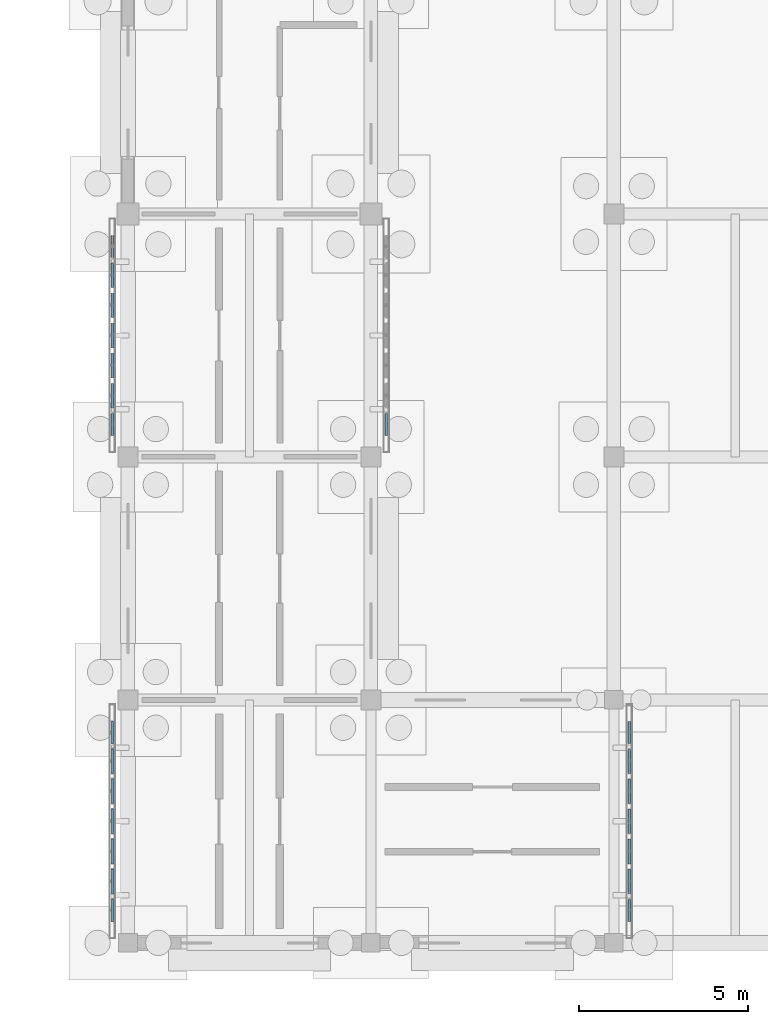
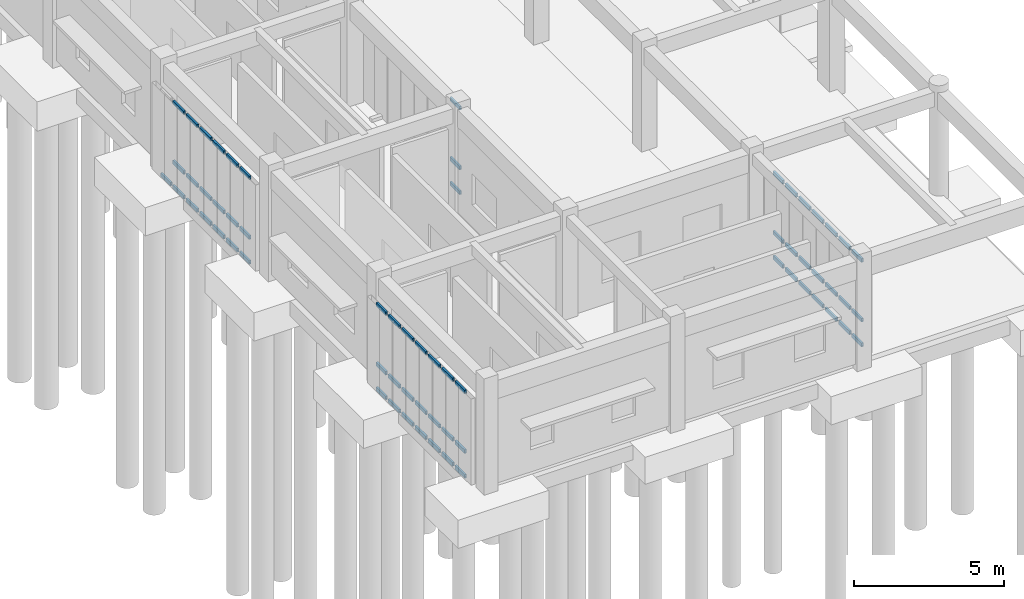
# One storey, part 39 of 111: 64 members, 4 elements without a shape of their own.
"""IFC4 building model written with IfcOpenShell, lengths in metres."""

from ifc_helpers import new_model, si_unit, direction, frame, origin, origin_2d, place, context, subcontext, project, spatial, hollow_rectangle, extrude, material, material_profile, profile_set, type_object, element, aggregate, save


model = new_model("IFC4")

# Units and contexts
model_context = context("Model", 3, precision=1e-05, world=origin(), true_north=direction((0.0, 1.0)))
body_context = subcontext(model_context, "Body", "Model", "MODEL_VIEW")
ifc_project = project(units=[si_unit("LENGTHUNIT", "METRE"), si_unit("AREAUNIT", "SQUARE_METRE"), si_unit("VOLUMEUNIT", "CUBIC_METRE"), si_unit("PLANEANGLEUNIT", "RADIAN"), si_unit("MASSUNIT", "GRAM", prefix="KILO")], contexts=[model_context])

# Site, building, storey
site_placement = place(None, origin())
site = spatial("IfcSite", under=ifc_project, at=site_placement, CompositionType="ELEMENT")
building_placement = place(site_placement, origin())
building = spatial("IfcBuilding", under=site, at=building_placement, Name="Aldebral Square Health Centre", CompositionType="ELEMENT")
storey_placement = place(building_placement, origin())
storey = spatial("IfcBuildingStorey", under=building, at=storey_placement, Name="L00", CompositionType="ELEMENT", Elevation=0.0)

# Curtain wall, members
ifc_material_1 = material(Name="Aluminium and low-E solar glass", Category="aluminium")
curtain_wall_type = type_object("IfcCurtainWallType", Name="CW-FIN-SYS", PredefinedType="USERDEFINED", material=ifc_material_1)
curtain_wall_1_placement = place(storey_placement, origin())
curtain_wall_1 = element("IfcCurtainWall", 1, at=curtain_wall_1_placement, inside=storey, type_object=curtain_wall_type, Name="L00 V6 finned curtain wall L00-V6-00-00-W", ObjectType="SOLAR_CURTAIN_WALL", PredefinedType="USERDEFINED")
ifc_material_2 = material(Name="Anodised aluminium transom", Category="aluminium")
ifc_material_profile = material_profile(ifc_material_2, hollow_rectangle(XDim=0.074951171875, YDim=0.14990234375, WallThickness=0.00390625, at=origin_2d()), Name="CWT 75x150x4")
ifc_profile_set = profile_set([ifc_material_profile], Name="Anodised aluminium transom")
member_type = type_object("IfcMemberType", Name="CWT-STD", PredefinedType="USERDEFINED", material=ifc_profile_set)
member_1_placement = place(storey_placement, frame((-0.4599609375, 6.56005859375, 0.03759765625), z_axis=(0.0, -1.0, 0.0), x_axis=(1.0, 0.0, 0.0)))
member_1 = element("IfcMember", 2, at=member_1_placement, type_object=member_type, Name="CW1 transom 1.1", ObjectType="TRANSOM", PredefinedType="USERDEFINED", context=body_context, shape_type="SweptSolid", body=[
    extrude(hollow_rectangle(XDim=0.074951171875, YDim=0.14990234375, WallThickness=0.00390625, at=origin_2d()), origin(), (0.0, 0.0, 1.0), 0.6513671875),
])
member_2_placement = place(storey_placement, frame((-0.4599609375, 6.56005859375, 1.050048828125), z_axis=(0.0, -1.0, 0.0), x_axis=(1.0, 0.0, 0.0)))
member_2 = element("IfcMember", 3, at=member_2_placement, type_object=member_type, Name="CW1 transom 1.2", ObjectType="TRANSOM", PredefinedType="USERDEFINED", context=body_context, shape_type="SweptSolid", body=[
    extrude(hollow_rectangle(XDim=0.074951171875, YDim=0.14990234375, WallThickness=0.00390625, at=origin_2d()), origin(), (0.0, 0.0, 1.0), 0.6513671875),
])
member_3_placement = place(storey_placement, frame((-0.4599609375, 6.56005859375, 3.482421875), z_axis=(0.0, -1.0, 0.0), x_axis=(1.0, 0.0, 0.0)))
member_3 = element("IfcMember", 4, at=member_3_placement, type_object=member_type, Name="CW1 transom 1.3", ObjectType="TRANSOM", PredefinedType="USERDEFINED", context=body_context, shape_type="SweptSolid", body=[
    extrude(hollow_rectangle(XDim=0.074951171875, YDim=0.14990234375, WallThickness=0.00390625, at=origin_2d()), origin(), (0.0, 0.0, 1.0), 0.6513671875),
])
member_4_placement = place(storey_placement, frame((-0.4599609375, 5.74853515625, 0.03759765625), z_axis=(0.0, -1.0, 0.0), x_axis=(1.0, 0.0, 0.0)))
member_4 = element("IfcMember", 5, at=member_4_placement, type_object=member_type, Name="CW1 transom 2.1", ObjectType="TRANSOM", PredefinedType="USERDEFINED", context=body_context, shape_type="SweptSolid", body=[
    extrude(hollow_rectangle(XDim=0.074951171875, YDim=0.14990234375, WallThickness=0.00390625, at=origin_2d()), origin(), (0.0, 0.0, 1.0), 0.7314453125),
])
member_5_placement = place(storey_placement, frame((-0.4599609375, 5.74853515625, 1.050048828125), z_axis=(0.0, -1.0, 0.0), x_axis=(1.0, 0.0, 0.0)))
member_5 = element("IfcMember", 6, at=member_5_placement, type_object=member_type, Name="CW1 transom 2.2", ObjectType="TRANSOM", PredefinedType="USERDEFINED", context=body_context, shape_type="SweptSolid", body=[
    extrude(hollow_rectangle(XDim=0.074951171875, YDim=0.14990234375, WallThickness=0.00390625, at=origin_2d()), origin(), (0.0, 0.0, 1.0), 0.7314453125),
])
member_6_placement = place(storey_placement, frame((-0.4599609375, 5.74853515625, 3.482421875), z_axis=(0.0, -1.0, 0.0), x_axis=(1.0, 0.0, 0.0)))
member_6 = element("IfcMember", 7, at=member_6_placement, type_object=member_type, Name="CW1 transom 2.3", ObjectType="TRANSOM", PredefinedType="USERDEFINED", context=body_context, shape_type="SweptSolid", body=[
    extrude(hollow_rectangle(XDim=0.074951171875, YDim=0.14990234375, WallThickness=0.00390625, at=origin_2d()), origin(), (0.0, 0.0, 1.0), 0.7314453125),
])
member_7_placement = place(storey_placement, frame((-0.4599609375, 4.857177734375, 0.03759765625), z_axis=(0.0, -1.0, 0.0), x_axis=(1.0, 0.0, 0.0)))
member_7 = element("IfcMember", 8, at=member_7_placement, type_object=member_type, Name="CW1 transom 3.1", ObjectType="TRANSOM", PredefinedType="USERDEFINED", context=body_context, shape_type="SweptSolid", body=[
    extrude(hollow_rectangle(XDim=0.074951171875, YDim=0.14990234375, WallThickness=0.00390625, at=origin_2d()), origin(), (0.0, 0.0, 1.0), 0.7314453125),
])
member_8_placement = place(storey_placement, frame((-0.4599609375, 4.857177734375, 1.050048828125), z_axis=(0.0, -1.0, 0.0), x_axis=(1.0, 0.0, 0.0)))
member_8 = element("IfcMember", 9, at=member_8_placement, type_object=member_type, Name="CW1 transom 3.2", ObjectType="TRANSOM", PredefinedType="USERDEFINED", context=body_context, shape_type="SweptSolid", body=[
    extrude(hollow_rectangle(XDim=0.074951171875, YDim=0.14990234375, WallThickness=0.00390625, at=origin_2d()), origin(), (0.0, 0.0, 1.0), 0.7314453125),
])
member_9_placement = place(storey_placement, frame((-0.4599609375, 4.857177734375, 3.482421875), z_axis=(0.0, -1.0, 0.0), x_axis=(1.0, 0.0, 0.0)))
member_9 = element("IfcMember", 10, at=member_9_placement, type_object=member_type, Name="CW1 transom 3.3", ObjectType="TRANSOM", PredefinedType="USERDEFINED", context=body_context, shape_type="SweptSolid", body=[
    extrude(hollow_rectangle(XDim=0.074951171875, YDim=0.14990234375, WallThickness=0.00390625, at=origin_2d()), origin(), (0.0, 0.0, 1.0), 0.7314453125),
])
member_10_placement = place(storey_placement, frame((-0.4599609375, 3.9658203125, 0.03759765625), z_axis=(0.0, -1.0, 0.0), x_axis=(1.0, 0.0, 0.0)))
member_10 = element("IfcMember", 11, at=member_10_placement, type_object=member_type, Name="CW1 transom 4.1", ObjectType="TRANSOM", PredefinedType="USERDEFINED", context=body_context, shape_type="SweptSolid", body=[
    extrude(hollow_rectangle(XDim=0.074951171875, YDim=0.14990234375, WallThickness=0.00390625, at=origin_2d()), origin(), (0.0, 0.0, 1.0), 0.7314453125),
])
member_11_placement = place(storey_placement, frame((-0.4599609375, 3.9658203125, 1.050048828125), z_axis=(0.0, -1.0, 0.0), x_axis=(1.0, 0.0, 0.0)))
member_11 = element("IfcMember", 12, at=member_11_placement, type_object=member_type, Name="CW1 transom 4.2", ObjectType="TRANSOM", PredefinedType="USERDEFINED", context=body_context, shape_type="SweptSolid", body=[
    extrude(hollow_rectangle(XDim=0.074951171875, YDim=0.14990234375, WallThickness=0.00390625, at=origin_2d()), origin(), (0.0, 0.0, 1.0), 0.7314453125),
])
member_12_placement = place(storey_placement, frame((-0.4599609375, 3.9658203125, 3.482421875), z_axis=(0.0, -1.0, 0.0), x_axis=(1.0, 0.0, 0.0)))
member_12 = element("IfcMember", 13, at=member_12_placement, type_object=member_type, Name="CW1 transom 4.3", ObjectType="TRANSOM", PredefinedType="USERDEFINED", context=body_context, shape_type="SweptSolid", body=[
    extrude(hollow_rectangle(XDim=0.074951171875, YDim=0.14990234375, WallThickness=0.00390625, at=origin_2d()), origin(), (0.0, 0.0, 1.0), 0.7314453125),
])
member_13_placement = place(storey_placement, frame((-0.4599609375, 3.07421875, 0.03759765625), z_axis=(0.0, -1.0, 0.0), x_axis=(1.0, 0.0, 0.0)))
member_13 = element("IfcMember", 14, at=member_13_placement, type_object=member_type, Name="CW1 transom 5.1", ObjectType="TRANSOM", PredefinedType="USERDEFINED", context=body_context, shape_type="SweptSolid", body=[
    extrude(hollow_rectangle(XDim=0.074951171875, YDim=0.14990234375, WallThickness=0.00390625, at=origin_2d()), origin(), (0.0, 0.0, 1.0), 0.7314453125),
])
member_14_placement = place(storey_placement, frame((-0.4599609375, 3.07421875, 1.050048828125), z_axis=(0.0, -1.0, 0.0), x_axis=(1.0, 0.0, 0.0)))
member_14 = element("IfcMember", 15, at=member_14_placement, type_object=member_type, Name="CW1 transom 5.2", ObjectType="TRANSOM", PredefinedType="USERDEFINED", context=body_context, shape_type="SweptSolid", body=[
    extrude(hollow_rectangle(XDim=0.074951171875, YDim=0.14990234375, WallThickness=0.00390625, at=origin_2d()), origin(), (0.0, 0.0, 1.0), 0.7314453125),
])
member_15_placement = place(storey_placement, frame((-0.4599609375, 3.07421875, 3.482421875), z_axis=(0.0, -1.0, 0.0), x_axis=(1.0, 0.0, 0.0)))
member_15 = element("IfcMember", 16, at=member_15_placement, type_object=member_type, Name="CW1 transom 5.3", ObjectType="TRANSOM", PredefinedType="USERDEFINED", context=body_context, shape_type="SweptSolid", body=[
    extrude(hollow_rectangle(XDim=0.074951171875, YDim=0.14990234375, WallThickness=0.00390625, at=origin_2d()), origin(), (0.0, 0.0, 1.0), 0.7314453125),
])
member_16_placement = place(storey_placement, frame((-0.4599609375, 2.182861328125, 0.03759765625), z_axis=(0.0, -1.0, 0.0), x_axis=(1.0, 0.0, 0.0)))
member_16 = element("IfcMember", 17, at=member_16_placement, type_object=member_type, Name="CW1 transom 6.1", ObjectType="TRANSOM", PredefinedType="USERDEFINED", context=body_context, shape_type="SweptSolid", body=[
    extrude(hollow_rectangle(XDim=0.074951171875, YDim=0.14990234375, WallThickness=0.00390625, at=origin_2d()), origin(), (0.0, 0.0, 1.0), 0.7314453125),
])
member_17_placement = place(storey_placement, frame((-0.4599609375, 2.182861328125, 1.050048828125), z_axis=(0.0, -1.0, 0.0), x_axis=(1.0, 0.0, 0.0)))
member_17 = element("IfcMember", 18, at=member_17_placement, type_object=member_type, Name="CW1 transom 6.2", ObjectType="TRANSOM", PredefinedType="USERDEFINED", context=body_context, shape_type="SweptSolid", body=[
    extrude(hollow_rectangle(XDim=0.074951171875, YDim=0.14990234375, WallThickness=0.00390625, at=origin_2d()), origin(), (0.0, 0.0, 1.0), 0.7314453125),
])
member_18_placement = place(storey_placement, frame((-0.4599609375, 2.182861328125, 3.482421875), z_axis=(0.0, -1.0, 0.0), x_axis=(1.0, 0.0, 0.0)))
member_18 = element("IfcMember", 19, at=member_18_placement, type_object=member_type, Name="CW1 transom 6.3", ObjectType="TRANSOM", PredefinedType="USERDEFINED", context=body_context, shape_type="SweptSolid", body=[
    extrude(hollow_rectangle(XDim=0.074951171875, YDim=0.14990234375, WallThickness=0.00390625, at=origin_2d()), origin(), (0.0, 0.0, 1.0), 0.7314453125),
])
member_19_placement = place(storey_placement, frame((-0.4599609375, 1.29150390625, 0.03759765625), z_axis=(0.0, -1.0, 0.0), x_axis=(1.0, 0.0, 0.0)))
member_19 = element("IfcMember", 20, at=member_19_placement, type_object=member_type, Name="CW1 transom 7.1", ObjectType="TRANSOM", PredefinedType="USERDEFINED", context=body_context, shape_type="SweptSolid", body=[
    extrude(hollow_rectangle(XDim=0.074951171875, YDim=0.14990234375, WallThickness=0.00390625, at=origin_2d()), origin(), (0.0, 0.0, 1.0), 0.651611328125),
])
member_20_placement = place(storey_placement, frame((-0.4599609375, 1.29150390625, 1.050048828125), z_axis=(0.0, -1.0, 0.0), x_axis=(1.0, 0.0, 0.0)))
member_20 = element("IfcMember", 21, at=member_20_placement, type_object=member_type, Name="CW1 transom 7.2", ObjectType="TRANSOM", PredefinedType="USERDEFINED", context=body_context, shape_type="SweptSolid", body=[
    extrude(hollow_rectangle(XDim=0.074951171875, YDim=0.14990234375, WallThickness=0.00390625, at=origin_2d()), origin(), (0.0, 0.0, 1.0), 0.651611328125),
])
member_21_placement = place(storey_placement, frame((-0.4599609375, 1.29150390625, 3.482421875), z_axis=(0.0, -1.0, 0.0), x_axis=(1.0, 0.0, 0.0)))
member_21 = element("IfcMember", 22, at=member_21_placement, type_object=member_type, Name="CW1 transom 7.3", ObjectType="TRANSOM", PredefinedType="USERDEFINED", context=body_context, shape_type="SweptSolid", body=[
    extrude(hollow_rectangle(XDim=0.074951171875, YDim=0.14990234375, WallThickness=0.00390625, at=origin_2d()), origin(), (0.0, 0.0, 1.0), 0.651611328125),
])
aggregate(curtain_wall_1, [member_1, member_2, member_3, member_4, member_5, member_6, member_7, member_8, member_9, member_10, member_11, member_12, member_13, member_14, member_15, member_16, member_17, member_18, member_19, member_20, member_21])

curtain_wall_2_placement = place(storey_placement, origin())
curtain_wall_2 = element("IfcCurtainWall", 23, at=curtain_wall_2_placement, inside=storey, type_object=curtain_wall_type, Name="L00 V6 finned curtain wall L00-V6-00-02-W", ObjectType="SOLAR_CURTAIN_WALL", PredefinedType="USERDEFINED")
member_22_placement = place(storey_placement, frame((-0.4599609375, 20.9599609375, 0.03759765625), z_axis=(0.0, -1.0, 0.0), x_axis=(1.0, 0.0, 0.0)))
member_22 = element("IfcMember", 24, at=member_22_placement, type_object=member_type, Name="CW1 transom 1.1", ObjectType="TRANSOM", PredefinedType="USERDEFINED", context=body_context, shape_type="SweptSolid", body=[
    extrude(hollow_rectangle(XDim=0.074951171875, YDim=0.14990234375, WallThickness=0.00390625, at=origin_2d()), origin(), (0.0, 0.0, 1.0), 0.6513671875),
])
member_23_placement = place(storey_placement, frame((-0.4599609375, 20.148681640625, 0.03759765625), z_axis=(0.0, -1.0, 0.0), x_axis=(1.0, 0.0, 0.0)))
member_23 = element("IfcMember", 25, at=member_23_placement, type_object=member_type, Name="CW1 transom 2.1", ObjectType="TRANSOM", PredefinedType="USERDEFINED", context=body_context, shape_type="SweptSolid", body=[
    extrude(hollow_rectangle(XDim=0.074951171875, YDim=0.14990234375, WallThickness=0.00390625, at=origin_2d()), origin(), (0.0, 0.0, 1.0), 0.7314453125),
])
member_24_placement = place(storey_placement, frame((-0.4599609375, 20.148681640625, 1.050048828125), z_axis=(0.0, -1.0, 0.0), x_axis=(1.0, 0.0, 0.0)))
member_24 = element("IfcMember", 26, at=member_24_placement, type_object=member_type, Name="CW1 transom 2.2", ObjectType="TRANSOM", PredefinedType="USERDEFINED", context=body_context, shape_type="SweptSolid", body=[
    extrude(hollow_rectangle(XDim=0.074951171875, YDim=0.14990234375, WallThickness=0.00390625, at=origin_2d()), origin(), (0.0, 0.0, 1.0), 0.7314453125),
])
member_25_placement = place(storey_placement, frame((-0.4599609375, 20.148681640625, 3.482421875), z_axis=(0.0, -1.0, 0.0), x_axis=(1.0, 0.0, 0.0)))
member_25 = element("IfcMember", 27, at=member_25_placement, type_object=member_type, Name="CW1 transom 2.3", ObjectType="TRANSOM", PredefinedType="USERDEFINED", context=body_context, shape_type="SweptSolid", body=[
    extrude(hollow_rectangle(XDim=0.074951171875, YDim=0.14990234375, WallThickness=0.00390625, at=origin_2d()), origin(), (0.0, 0.0, 1.0), 0.7314453125),
])
member_26_placement = place(storey_placement, frame((-0.4599609375, 19.257080078125, 0.03759765625), z_axis=(0.0, -1.0, 0.0), x_axis=(1.0, 0.0, 0.0)))
member_26 = element("IfcMember", 28, at=member_26_placement, type_object=member_type, Name="CW1 transom 3.1", ObjectType="TRANSOM", PredefinedType="USERDEFINED", context=body_context, shape_type="SweptSolid", body=[
    extrude(hollow_rectangle(XDim=0.074951171875, YDim=0.14990234375, WallThickness=0.00390625, at=origin_2d()), origin(), (0.0, 0.0, 1.0), 0.7314453125),
])
member_27_placement = place(storey_placement, frame((-0.4599609375, 19.257080078125, 1.050048828125), z_axis=(0.0, -1.0, 0.0), x_axis=(1.0, 0.0, 0.0)))
member_27 = element("IfcMember", 29, at=member_27_placement, type_object=member_type, Name="CW1 transom 3.2", ObjectType="TRANSOM", PredefinedType="USERDEFINED", context=body_context, shape_type="SweptSolid", body=[
    extrude(hollow_rectangle(XDim=0.074951171875, YDim=0.14990234375, WallThickness=0.00390625, at=origin_2d()), origin(), (0.0, 0.0, 1.0), 0.7314453125),
])
member_28_placement = place(storey_placement, frame((-0.4599609375, 19.257080078125, 3.482421875), z_axis=(0.0, -1.0, 0.0), x_axis=(1.0, 0.0, 0.0)))
member_28 = element("IfcMember", 30, at=member_28_placement, type_object=member_type, Name="CW1 transom 3.3", ObjectType="TRANSOM", PredefinedType="USERDEFINED", context=body_context, shape_type="SweptSolid", body=[
    extrude(hollow_rectangle(XDim=0.074951171875, YDim=0.14990234375, WallThickness=0.00390625, at=origin_2d()), origin(), (0.0, 0.0, 1.0), 0.7314453125),
])
member_29_placement = place(storey_placement, frame((-0.4599609375, 18.36572265625, 0.03759765625), z_axis=(0.0, -1.0, 0.0), x_axis=(1.0, 0.0, 0.0)))
member_29 = element("IfcMember", 31, at=member_29_placement, type_object=member_type, Name="CW1 transom 4.1", ObjectType="TRANSOM", PredefinedType="USERDEFINED", context=body_context, shape_type="SweptSolid", body=[
    extrude(hollow_rectangle(XDim=0.074951171875, YDim=0.14990234375, WallThickness=0.00390625, at=origin_2d()), origin(), (0.0, 0.0, 1.0), 0.7314453125),
])
member_30_placement = place(storey_placement, frame((-0.4599609375, 18.36572265625, 1.050048828125), z_axis=(0.0, -1.0, 0.0), x_axis=(1.0, 0.0, 0.0)))
member_30 = element("IfcMember", 32, at=member_30_placement, type_object=member_type, Name="CW1 transom 4.2", ObjectType="TRANSOM", PredefinedType="USERDEFINED", context=body_context, shape_type="SweptSolid", body=[
    extrude(hollow_rectangle(XDim=0.074951171875, YDim=0.14990234375, WallThickness=0.00390625, at=origin_2d()), origin(), (0.0, 0.0, 1.0), 0.7314453125),
])
member_31_placement = place(storey_placement, frame((-0.4599609375, 18.36572265625, 3.482421875), z_axis=(0.0, -1.0, 0.0), x_axis=(1.0, 0.0, 0.0)))
member_31 = element("IfcMember", 33, at=member_31_placement, type_object=member_type, Name="CW1 transom 4.3", ObjectType="TRANSOM", PredefinedType="USERDEFINED", context=body_context, shape_type="SweptSolid", body=[
    extrude(hollow_rectangle(XDim=0.074951171875, YDim=0.14990234375, WallThickness=0.00390625, at=origin_2d()), origin(), (0.0, 0.0, 1.0), 0.7314453125),
])
member_32_placement = place(storey_placement, frame((-0.4599609375, 17.474365234375, 0.03759765625), z_axis=(0.0, -1.0, 0.0), x_axis=(1.0, 0.0, 0.0)))
member_32 = element("IfcMember", 34, at=member_32_placement, type_object=member_type, Name="CW1 transom 5.1", ObjectType="TRANSOM", PredefinedType="USERDEFINED", context=body_context, shape_type="SweptSolid", body=[
    extrude(hollow_rectangle(XDim=0.074951171875, YDim=0.14990234375, WallThickness=0.00390625, at=origin_2d()), origin(), (0.0, 0.0, 1.0), 0.7314453125),
])
member_33_placement = place(storey_placement, frame((-0.4599609375, 17.474365234375, 1.050048828125), z_axis=(0.0, -1.0, 0.0), x_axis=(1.0, 0.0, 0.0)))
member_33 = element("IfcMember", 35, at=member_33_placement, type_object=member_type, Name="CW1 transom 5.2", ObjectType="TRANSOM", PredefinedType="USERDEFINED", context=body_context, shape_type="SweptSolid", body=[
    extrude(hollow_rectangle(XDim=0.074951171875, YDim=0.14990234375, WallThickness=0.00390625, at=origin_2d()), origin(), (0.0, 0.0, 1.0), 0.7314453125),
])
member_34_placement = place(storey_placement, frame((-0.4599609375, 17.474365234375, 3.482421875), z_axis=(0.0, -1.0, 0.0), x_axis=(1.0, 0.0, 0.0)))
member_34 = element("IfcMember", 36, at=member_34_placement, type_object=member_type, Name="CW1 transom 5.3", ObjectType="TRANSOM", PredefinedType="USERDEFINED", context=body_context, shape_type="SweptSolid", body=[
    extrude(hollow_rectangle(XDim=0.074951171875, YDim=0.14990234375, WallThickness=0.00390625, at=origin_2d()), origin(), (0.0, 0.0, 1.0), 0.7314453125),
])
member_35_placement = place(storey_placement, frame((-0.4599609375, 16.582763671875, 0.03759765625), z_axis=(0.0, -1.0, 0.0), x_axis=(1.0, 0.0, 0.0)))
member_35 = element("IfcMember", 37, at=member_35_placement, type_object=member_type, Name="CW1 transom 6.1", ObjectType="TRANSOM", PredefinedType="USERDEFINED", context=body_context, shape_type="SweptSolid", body=[
    extrude(hollow_rectangle(XDim=0.074951171875, YDim=0.14990234375, WallThickness=0.00390625, at=origin_2d()), origin(), (0.0, 0.0, 1.0), 0.7314453125),
])
member_36_placement = place(storey_placement, frame((-0.4599609375, 16.582763671875, 1.050048828125), z_axis=(0.0, -1.0, 0.0), x_axis=(1.0, 0.0, 0.0)))
member_36 = element("IfcMember", 38, at=member_36_placement, type_object=member_type, Name="CW1 transom 6.2", ObjectType="TRANSOM", PredefinedType="USERDEFINED", context=body_context, shape_type="SweptSolid", body=[
    extrude(hollow_rectangle(XDim=0.074951171875, YDim=0.14990234375, WallThickness=0.00390625, at=origin_2d()), origin(), (0.0, 0.0, 1.0), 0.7314453125),
])
member_37_placement = place(storey_placement, frame((-0.4599609375, 16.582763671875, 3.482421875), z_axis=(0.0, -1.0, 0.0), x_axis=(1.0, 0.0, 0.0)))
member_37 = element("IfcMember", 39, at=member_37_placement, type_object=member_type, Name="CW1 transom 6.3", ObjectType="TRANSOM", PredefinedType="USERDEFINED", context=body_context, shape_type="SweptSolid", body=[
    extrude(hollow_rectangle(XDim=0.074951171875, YDim=0.14990234375, WallThickness=0.00390625, at=origin_2d()), origin(), (0.0, 0.0, 1.0), 0.7314453125),
])
member_38_placement = place(storey_placement, frame((-0.4599609375, 15.69140625, 0.03759765625), z_axis=(0.0, -1.0, 0.0), x_axis=(1.0, 0.0, 0.0)))
member_38 = element("IfcMember", 40, at=member_38_placement, type_object=member_type, Name="CW1 transom 7.1", ObjectType="TRANSOM", PredefinedType="USERDEFINED", context=body_context, shape_type="SweptSolid", body=[
    extrude(hollow_rectangle(XDim=0.074951171875, YDim=0.14990234375, WallThickness=0.00390625, at=origin_2d()), origin(), (0.0, 0.0, 1.0), 0.6513671875),
])
member_39_placement = place(storey_placement, frame((-0.4599609375, 15.69140625, 1.050048828125), z_axis=(0.0, -1.0, 0.0), x_axis=(1.0, 0.0, 0.0)))
member_39 = element("IfcMember", 41, at=member_39_placement, type_object=member_type, Name="CW1 transom 7.2", ObjectType="TRANSOM", PredefinedType="USERDEFINED", context=body_context, shape_type="SweptSolid", body=[
    extrude(hollow_rectangle(XDim=0.074951171875, YDim=0.14990234375, WallThickness=0.00390625, at=origin_2d()), origin(), (0.0, 0.0, 1.0), 0.6513671875),
])
member_40_placement = place(storey_placement, frame((-0.4599609375, 15.69140625, 3.482421875), z_axis=(0.0, -1.0, 0.0), x_axis=(1.0, 0.0, 0.0)))
member_40 = element("IfcMember", 42, at=member_40_placement, type_object=member_type, Name="CW1 transom 7.3", ObjectType="TRANSOM", PredefinedType="USERDEFINED", context=body_context, shape_type="SweptSolid", body=[
    extrude(hollow_rectangle(XDim=0.074951171875, YDim=0.14990234375, WallThickness=0.00390625, at=origin_2d()), origin(), (0.0, 0.0, 1.0), 0.6513671875),
])
aggregate(curtain_wall_2, [member_22, member_23, member_24, member_25, member_26, member_27, member_28, member_29, member_30, member_31, member_32, member_33, member_34, member_35, member_36, member_37, member_38, member_39, member_40])

curtain_wall_3_placement = place(storey_placement, origin())
curtain_wall_3 = element("IfcCurtainWall", 43, at=curtain_wall_3_placement, inside=storey, type_object=curtain_wall_type, Name="L00 V6 finned curtain wall L00-V6-00-02-E", ObjectType="SOLAR_CURTAIN_WALL", PredefinedType="USERDEFINED")
member_41_placement = place(storey_placement, frame((7.659912109375, 15.0400390625, 0.03759765625), z_axis=(0.0, 1.0, 0.0), x_axis=(-1.0, 0.0, 0.0)))
member_41 = element("IfcMember", 44, at=member_41_placement, type_object=member_type, Name="CW1 transom 1.1", ObjectType="TRANSOM", PredefinedType="USERDEFINED", context=body_context, shape_type="SweptSolid", body=[
    extrude(hollow_rectangle(XDim=0.074951171875, YDim=0.14990234375, WallThickness=0.00390625, at=origin_2d()), origin(), (0.0, 0.0, 1.0), 0.6513671875),
])
member_42_placement = place(storey_placement, frame((7.659912109375, 15.0400390625, 1.050048828125), z_axis=(0.0, 1.0, 0.0), x_axis=(-1.0, 0.0, 0.0)))
member_42 = element("IfcMember", 45, at=member_42_placement, type_object=member_type, Name="CW1 transom 1.2", ObjectType="TRANSOM", PredefinedType="USERDEFINED", context=body_context, shape_type="SweptSolid", body=[
    extrude(hollow_rectangle(XDim=0.074951171875, YDim=0.14990234375, WallThickness=0.00390625, at=origin_2d()), origin(), (0.0, 0.0, 1.0), 0.6513671875),
])
member_43_placement = place(storey_placement, frame((7.659912109375, 15.0400390625, 3.482421875), z_axis=(0.0, 1.0, 0.0), x_axis=(-1.0, 0.0, 0.0)))
member_43 = element("IfcMember", 46, at=member_43_placement, type_object=member_type, Name="CW1 transom 1.3", ObjectType="TRANSOM", PredefinedType="USERDEFINED", context=body_context, shape_type="SweptSolid", body=[
    extrude(hollow_rectangle(XDim=0.074951171875, YDim=0.14990234375, WallThickness=0.00390625, at=origin_2d()), origin(), (0.0, 0.0, 1.0), 0.6513671875),
])
aggregate(curtain_wall_3, [member_41, member_42, member_43])

curtain_wall_4_placement = place(storey_placement, origin())
curtain_wall_4 = element("IfcCurtainWall", 47, at=curtain_wall_4_placement, inside=storey, type_object=curtain_wall_type, Name="L00 V6 finned curtain wall L00-V6-01-00-E", ObjectType="SOLAR_CURTAIN_WALL", PredefinedType="USERDEFINED")
member_44_placement = place(storey_placement, frame((14.860107421875, 0.639892578125, 0.03759765625), z_axis=(0.0, 1.0, 0.0), x_axis=(-1.0, 0.0, 0.0)))
member_44 = element("IfcMember", 48, at=member_44_placement, type_object=member_type, Name="CW1 transom 1.1", ObjectType="TRANSOM", PredefinedType="USERDEFINED", context=body_context, shape_type="SweptSolid", body=[
    extrude(hollow_rectangle(XDim=0.074951171875, YDim=0.14990234375, WallThickness=0.00390625, at=origin_2d()), origin(), (0.0, 0.0, 1.0), 0.651611328125),
])
member_45_placement = place(storey_placement, frame((14.860107421875, 0.639892578125, 1.050048828125), z_axis=(0.0, 1.0, 0.0), x_axis=(-1.0, 0.0, 0.0)))
member_45 = element("IfcMember", 49, at=member_45_placement, type_object=member_type, Name="CW1 transom 1.2", ObjectType="TRANSOM", PredefinedType="USERDEFINED", context=body_context, shape_type="SweptSolid", body=[
    extrude(hollow_rectangle(XDim=0.074951171875, YDim=0.14990234375, WallThickness=0.00390625, at=origin_2d()), origin(), (0.0, 0.0, 1.0), 0.651611328125),
])
member_46_placement = place(storey_placement, frame((14.860107421875, 0.639892578125, 3.482421875), z_axis=(0.0, 1.0, 0.0), x_axis=(-1.0, 0.0, 0.0)))
member_46 = element("IfcMember", 50, at=member_46_placement, type_object=member_type, Name="CW1 transom 1.3", ObjectType="TRANSOM", PredefinedType="USERDEFINED", context=body_context, shape_type="SweptSolid", body=[
    extrude(hollow_rectangle(XDim=0.074951171875, YDim=0.14990234375, WallThickness=0.00390625, at=origin_2d()), origin(), (0.0, 0.0, 1.0), 0.651611328125),
])
member_47_placement = place(storey_placement, frame((14.860107421875, 1.451416015625, 0.03759765625), z_axis=(0.0, 1.0, 0.0), x_axis=(-1.0, 0.0, 0.0)))
member_47 = element("IfcMember", 51, at=member_47_placement, type_object=member_type, Name="CW1 transom 2.1", ObjectType="TRANSOM", PredefinedType="USERDEFINED", context=body_context, shape_type="SweptSolid", body=[
    extrude(hollow_rectangle(XDim=0.074951171875, YDim=0.14990234375, WallThickness=0.00390625, at=origin_2d()), origin(), (0.0, 0.0, 1.0), 0.7314453125),
])
member_48_placement = place(storey_placement, frame((14.860107421875, 1.451416015625, 1.050048828125), z_axis=(0.0, 1.0, 0.0), x_axis=(-1.0, 0.0, 0.0)))
member_48 = element("IfcMember", 52, at=member_48_placement, type_object=member_type, Name="CW1 transom 2.2", ObjectType="TRANSOM", PredefinedType="USERDEFINED", context=body_context, shape_type="SweptSolid", body=[
    extrude(hollow_rectangle(XDim=0.074951171875, YDim=0.14990234375, WallThickness=0.00390625, at=origin_2d()), origin(), (0.0, 0.0, 1.0), 0.7314453125),
])
member_49_placement = place(storey_placement, frame((14.860107421875, 1.451416015625, 3.482421875), z_axis=(0.0, 1.0, 0.0), x_axis=(-1.0, 0.0, 0.0)))
member_49 = element("IfcMember", 53, at=member_49_placement, type_object=member_type, Name="CW1 transom 2.3", ObjectType="TRANSOM", PredefinedType="USERDEFINED", context=body_context, shape_type="SweptSolid", body=[
    extrude(hollow_rectangle(XDim=0.074951171875, YDim=0.14990234375, WallThickness=0.00390625, at=origin_2d()), origin(), (0.0, 0.0, 1.0), 0.7314453125),
])
member_50_placement = place(storey_placement, frame((14.860107421875, 2.3427734375, 0.03759765625), z_axis=(0.0, 1.0, 0.0), x_axis=(-1.0, 0.0, 0.0)))
member_50 = element("IfcMember", 54, at=member_50_placement, type_object=member_type, Name="CW1 transom 3.1", ObjectType="TRANSOM", PredefinedType="USERDEFINED", context=body_context, shape_type="SweptSolid", body=[
    extrude(hollow_rectangle(XDim=0.074951171875, YDim=0.14990234375, WallThickness=0.00390625, at=origin_2d()), origin(), (0.0, 0.0, 1.0), 0.7314453125),
])
member_51_placement = place(storey_placement, frame((14.860107421875, 2.3427734375, 1.050048828125), z_axis=(0.0, 1.0, 0.0), x_axis=(-1.0, 0.0, 0.0)))
member_51 = element("IfcMember", 55, at=member_51_placement, type_object=member_type, Name="CW1 transom 3.2", ObjectType="TRANSOM", PredefinedType="USERDEFINED", context=body_context, shape_type="SweptSolid", body=[
    extrude(hollow_rectangle(XDim=0.074951171875, YDim=0.14990234375, WallThickness=0.00390625, at=origin_2d()), origin(), (0.0, 0.0, 1.0), 0.7314453125),
])
member_52_placement = place(storey_placement, frame((14.860107421875, 2.3427734375, 3.482421875), z_axis=(0.0, 1.0, 0.0), x_axis=(-1.0, 0.0, 0.0)))
member_52 = element("IfcMember", 56, at=member_52_placement, type_object=member_type, Name="CW1 transom 3.3", ObjectType="TRANSOM", PredefinedType="USERDEFINED", context=body_context, shape_type="SweptSolid", body=[
    extrude(hollow_rectangle(XDim=0.074951171875, YDim=0.14990234375, WallThickness=0.00390625, at=origin_2d()), origin(), (0.0, 0.0, 1.0), 0.7314453125),
])
member_53_placement = place(storey_placement, frame((14.860107421875, 3.234375, 0.03759765625), z_axis=(0.0, 1.0, 0.0), x_axis=(-1.0, 0.0, 0.0)))
member_53 = element("IfcMember", 57, at=member_53_placement, type_object=member_type, Name="CW1 transom 4.1", ObjectType="TRANSOM", PredefinedType="USERDEFINED", context=body_context, shape_type="SweptSolid", body=[
    extrude(hollow_rectangle(XDim=0.074951171875, YDim=0.14990234375, WallThickness=0.00390625, at=origin_2d()), origin(), (0.0, 0.0, 1.0), 0.7314453125),
])
member_54_placement = place(storey_placement, frame((14.860107421875, 3.234375, 1.050048828125), z_axis=(0.0, 1.0, 0.0), x_axis=(-1.0, 0.0, 0.0)))
member_54 = element("IfcMember", 58, at=member_54_placement, type_object=member_type, Name="CW1 transom 4.2", ObjectType="TRANSOM", PredefinedType="USERDEFINED", context=body_context, shape_type="SweptSolid", body=[
    extrude(hollow_rectangle(XDim=0.074951171875, YDim=0.14990234375, WallThickness=0.00390625, at=origin_2d()), origin(), (0.0, 0.0, 1.0), 0.7314453125),
])
member_55_placement = place(storey_placement, frame((14.860107421875, 3.234375, 3.482421875), z_axis=(0.0, 1.0, 0.0), x_axis=(-1.0, 0.0, 0.0)))
member_55 = element("IfcMember", 59, at=member_55_placement, type_object=member_type, Name="CW1 transom 4.3", ObjectType="TRANSOM", PredefinedType="USERDEFINED", context=body_context, shape_type="SweptSolid", body=[
    extrude(hollow_rectangle(XDim=0.074951171875, YDim=0.14990234375, WallThickness=0.00390625, at=origin_2d()), origin(), (0.0, 0.0, 1.0), 0.7314453125),
])
member_56_placement = place(storey_placement, frame((14.860107421875, 4.125732421875, 0.03759765625), z_axis=(0.0, 1.0, 0.0), x_axis=(-1.0, 0.0, 0.0)))
member_56 = element("IfcMember", 60, at=member_56_placement, type_object=member_type, Name="CW1 transom 5.1", ObjectType="TRANSOM", PredefinedType="USERDEFINED", context=body_context, shape_type="SweptSolid", body=[
    extrude(hollow_rectangle(XDim=0.074951171875, YDim=0.14990234375, WallThickness=0.00390625, at=origin_2d()), origin(), (0.0, 0.0, 1.0), 0.7314453125),
])
member_57_placement = place(storey_placement, frame((14.860107421875, 4.125732421875, 1.050048828125), z_axis=(0.0, 1.0, 0.0), x_axis=(-1.0, 0.0, 0.0)))
member_57 = element("IfcMember", 61, at=member_57_placement, type_object=member_type, Name="CW1 transom 5.2", ObjectType="TRANSOM", PredefinedType="USERDEFINED", context=body_context, shape_type="SweptSolid", body=[
    extrude(hollow_rectangle(XDim=0.074951171875, YDim=0.14990234375, WallThickness=0.00390625, at=origin_2d()), origin(), (0.0, 0.0, 1.0), 0.7314453125),
])
member_58_placement = place(storey_placement, frame((14.860107421875, 4.125732421875, 3.482421875), z_axis=(0.0, 1.0, 0.0), x_axis=(-1.0, 0.0, 0.0)))
member_58 = element("IfcMember", 62, at=member_58_placement, type_object=member_type, Name="CW1 transom 5.3", ObjectType="TRANSOM", PredefinedType="USERDEFINED", context=body_context, shape_type="SweptSolid", body=[
    extrude(hollow_rectangle(XDim=0.074951171875, YDim=0.14990234375, WallThickness=0.00390625, at=origin_2d()), origin(), (0.0, 0.0, 1.0), 0.7314453125),
])
member_59_placement = place(storey_placement, frame((14.860107421875, 5.01708984375, 0.03759765625), z_axis=(0.0, 1.0, 0.0), x_axis=(-1.0, 0.0, 0.0)))
member_59 = element("IfcMember", 63, at=member_59_placement, type_object=member_type, Name="CW1 transom 6.1", ObjectType="TRANSOM", PredefinedType="USERDEFINED", context=body_context, shape_type="SweptSolid", body=[
    extrude(hollow_rectangle(XDim=0.074951171875, YDim=0.14990234375, WallThickness=0.00390625, at=origin_2d()), origin(), (0.0, 0.0, 1.0), 0.7314453125),
])
member_60_placement = place(storey_placement, frame((14.860107421875, 5.01708984375, 1.050048828125), z_axis=(0.0, 1.0, 0.0), x_axis=(-1.0, 0.0, 0.0)))
member_60 = element("IfcMember", 64, at=member_60_placement, type_object=member_type, Name="CW1 transom 6.2", ObjectType="TRANSOM", PredefinedType="USERDEFINED", context=body_context, shape_type="SweptSolid", body=[
    extrude(hollow_rectangle(XDim=0.074951171875, YDim=0.14990234375, WallThickness=0.00390625, at=origin_2d()), origin(), (0.0, 0.0, 1.0), 0.7314453125),
])
member_61_placement = place(storey_placement, frame((14.860107421875, 5.01708984375, 3.482421875), z_axis=(0.0, 1.0, 0.0), x_axis=(-1.0, 0.0, 0.0)))
member_61 = element("IfcMember", 65, at=member_61_placement, type_object=member_type, Name="CW1 transom 6.3", ObjectType="TRANSOM", PredefinedType="USERDEFINED", context=body_context, shape_type="SweptSolid", body=[
    extrude(hollow_rectangle(XDim=0.074951171875, YDim=0.14990234375, WallThickness=0.00390625, at=origin_2d()), origin(), (0.0, 0.0, 1.0), 0.7314453125),
])
member_62_placement = place(storey_placement, frame((14.860107421875, 5.90869140625, 0.03759765625), z_axis=(0.0, 1.0, 0.0), x_axis=(-1.0, 0.0, 0.0)))
member_62 = element("IfcMember", 66, at=member_62_placement, type_object=member_type, Name="CW1 transom 7.1", ObjectType="TRANSOM", PredefinedType="USERDEFINED", context=body_context, shape_type="SweptSolid", body=[
    extrude(hollow_rectangle(XDim=0.074951171875, YDim=0.14990234375, WallThickness=0.00390625, at=origin_2d()), origin(), (0.0, 0.0, 1.0), 0.6513671875),
])
member_63_placement = place(storey_placement, frame((14.860107421875, 5.90869140625, 1.050048828125), z_axis=(0.0, 1.0, 0.0), x_axis=(-1.0, 0.0, 0.0)))
member_63 = element("IfcMember", 67, at=member_63_placement, type_object=member_type, Name="CW1 transom 7.2", ObjectType="TRANSOM", PredefinedType="USERDEFINED", context=body_context, shape_type="SweptSolid", body=[
    extrude(hollow_rectangle(XDim=0.074951171875, YDim=0.14990234375, WallThickness=0.00390625, at=origin_2d()), origin(), (0.0, 0.0, 1.0), 0.6513671875),
])
member_64_placement = place(storey_placement, frame((14.860107421875, 5.90869140625, 3.482421875), z_axis=(0.0, 1.0, 0.0), x_axis=(-1.0, 0.0, 0.0)))
member_64 = element("IfcMember", 68, at=member_64_placement, type_object=member_type, Name="CW1 transom 7.3", ObjectType="TRANSOM", PredefinedType="USERDEFINED", context=body_context, shape_type="SweptSolid", body=[
    extrude(hollow_rectangle(XDim=0.074951171875, YDim=0.14990234375, WallThickness=0.00390625, at=origin_2d()), origin(), (0.0, 0.0, 1.0), 0.6513671875),
])
aggregate(curtain_wall_4, [member_44, member_45, member_46, member_47, member_48, member_49, member_50, member_51, member_52, member_53, member_54, member_55, member_56, member_57, member_58, member_59, member_60, member_61, member_62, member_63, member_64])

save(model, "model.ifc")
